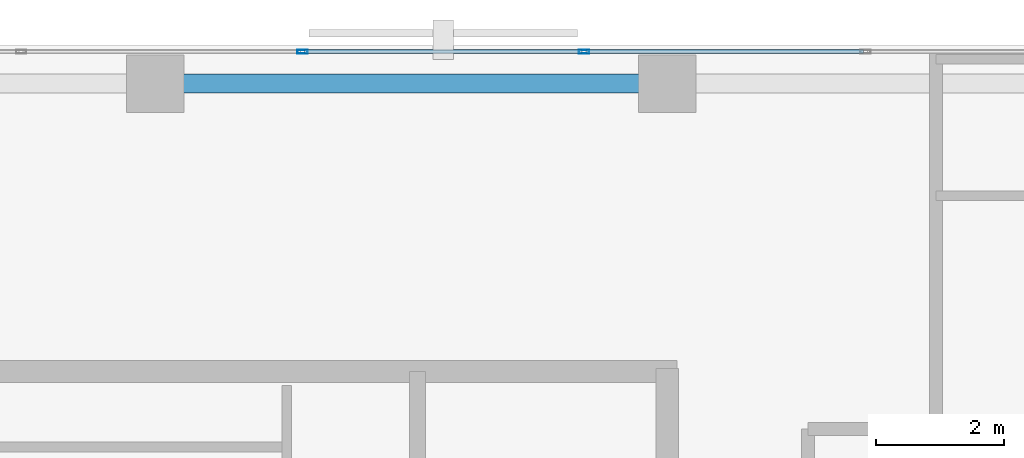
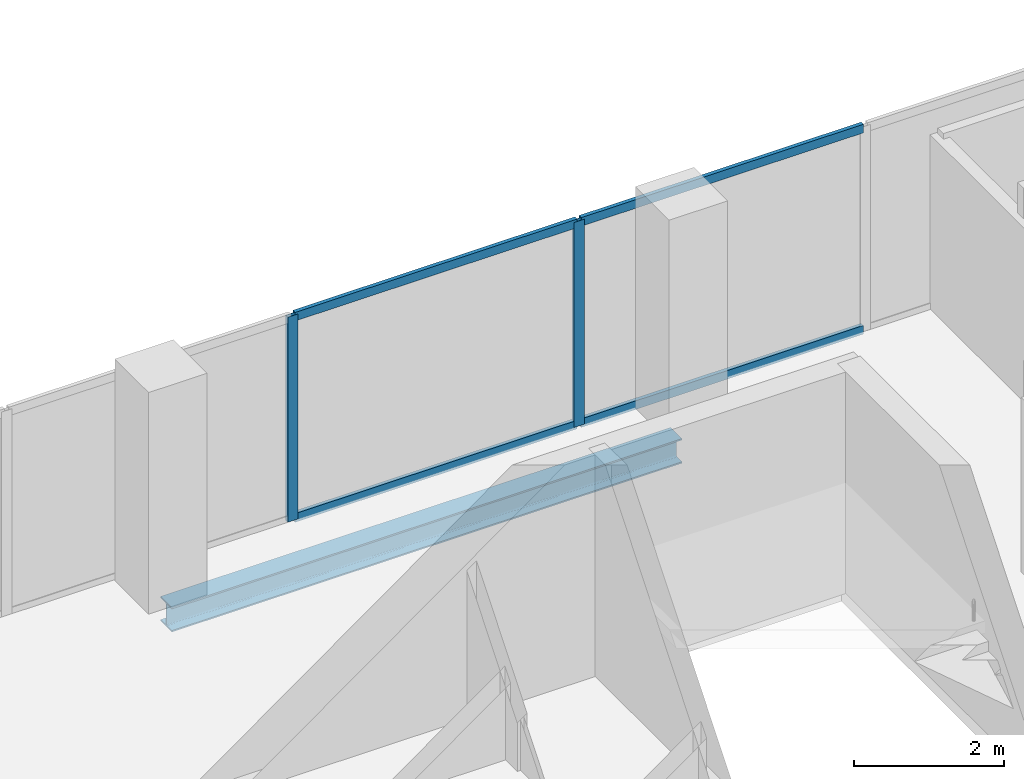
# One storey, part 24 of 34: 6 members, 1 beam, 1 element without a shape of its own.
"""IFC4 building model written with IfcOpenShell, lengths in metres."""

from ifc_helpers import new_model, si_unit, direction, frame, origin, origin_2d, place, context, subcontext, project, spatial, hollow_rectangle, i_section, extrude, material, layer, layer_set, material_profile, profile_set, type_object, element, aggregate, save


model = new_model("IFC4")

# Units and contexts
model_context = context("Model", 3, precision=1e-05, world=origin(), true_north=direction((0.0, 1.0)))
body_context = subcontext(model_context, "Body", "Model", "MODEL_VIEW")
ifc_project = project(units=[si_unit("LENGTHUNIT", "METRE"), si_unit("AREAUNIT", "SQUARE_METRE"), si_unit("VOLUMEUNIT", "CUBIC_METRE"), si_unit("PLANEANGLEUNIT", "RADIAN"), si_unit("MASSUNIT", "GRAM", prefix="KILO")], contexts=[model_context])

# Site, building, storey
site_placement = place(None, origin())
site = spatial("IfcSite", under=ifc_project, at=site_placement, CompositionType="ELEMENT")
building_placement = place(site_placement, origin())
building = spatial("IfcBuilding", under=site, at=building_placement, Name="Catumbela Crestline Tower", CompositionType="ELEMENT")
storey_placement = place(building_placement, frame((0.0, 0.0, 97.2)))
storey = spatial("IfcBuildingStorey", under=building, at=storey_placement, Name="L24", CompositionType="ELEMENT", Elevation=97.2)

# Curtain wall, members
ifc_material_1 = material(Name="Aluminium alloy AW-6060-T66", Category="aluminium")
ifc_layer = layer(ifc_material_1, 0.18, Name="Aluminium alloy AW-6060-T66")
ifc_layer_set = layer_set([ifc_layer], Name="Aluminium alloy AW-6060-T66")
curtain_wall_type = type_object("IfcCurtainWallType", Name="CWU-Z2", PredefinedType="USERDEFINED", material=ifc_layer_set)
curtain_wall_placement = place(storey_placement, origin())
curtain_wall = element("IfcCurtainWall", 1, at=curtain_wall_placement, inside=storey, type_object=curtain_wall_type, Name="L24 Unitised Curtain Wall CW-L24-E7S1", ObjectType="UNITISED", PredefinedType="USERDEFINED")
ifc_material_profile_1 = material_profile(ifc_material_1, hollow_rectangle(XDim=0.06, YDim=0.16, WallThickness=0.004, at=origin_2d()), Name="ALU 160x60x4")
ifc_profile_set_1 = profile_set([ifc_material_profile_1], Name="Aluminium alloy AW-6060-T66")
member_type_1 = type_object("IfcMemberType", Name="MUL-160X60", PredefinedType="MULLION", material=ifc_profile_set_1)
member_1_placement = place(storey_placement, frame((38.7, 47.9, 0.0), z_axis=(0.0, 0.0, 1.0), x_axis=(0.0, -1.0, 0.0)))
member_1 = element("IfcMember", 2, at=member_1_placement, type_object=member_type_1, Name="CWU-Z2 mullion 3", PredefinedType="MULLION", context=body_context, shape_type="SweptSolid", body=[
    extrude(hollow_rectangle(XDim=0.06, YDim=0.16, WallThickness=0.004, at=origin_2d()), origin(), (0.0, 0.0, 1.0), 3.33),
])
member_2_placement = place(storey_placement, frame((34.3, 47.9, 0.0), z_axis=(0.0, 0.0, 1.0), x_axis=(0.0, -1.0, 0.0)))
member_2 = element("IfcMember", 3, at=member_2_placement, type_object=member_type_1, Name="CWU-Z2 mullion 4", PredefinedType="MULLION", context=body_context, shape_type="SweptSolid", body=[
    extrude(hollow_rectangle(XDim=0.06, YDim=0.16, WallThickness=0.004, at=origin_2d()), origin(), (0.0, 0.0, 1.0), 3.33),
])

# Beam
ifc_material_2 = material(Name="Structural steel S355J2", Category="steel")
ifc_material_profile_2 = material_profile(ifc_material_2, i_section(OverallWidth=0.3, OverallDepth=0.4, WebThickness=0.0135, FlangeThickness=0.024, FilletRadius=0.027, at=origin_2d()), Name="HEB 400")
ifc_profile_set_2 = profile_set([ifc_material_profile_2], Name="Structural steel S355J2")
beam_type = type_object("IfcBeamType", Name="BS-HEB400", PredefinedType="SPANDREL", material=ifc_profile_set_2)
beam_placement = place(storey_placement, frame((32.08, 47.4, -0.46), z_axis=(1.0, 0.0, 0.0), x_axis=(0.0, 1.0, 0.0)))
element("IfcBeam", 4, at=beam_placement, inside=storey, type_object=beam_type, Name="L24 Spandrel SP-L24-NF20", PredefinedType="SPANDREL", context=body_context, shape_type="SweptSolid", body=[
    extrude(i_section(OverallWidth=0.3, OverallDepth=0.4, WebThickness=0.0135, FlangeThickness=0.024, FilletRadius=0.027, at=origin_2d()), origin(), (0.0, 0.0, 1.0), 7.84),
])

# Member
ifc_material_profile_3 = material_profile(ifc_material_1, hollow_rectangle(XDim=0.06, YDim=0.14, WallThickness=0.004, at=origin_2d()), Name="ALU 140x60x4")
ifc_profile_set_3 = profile_set([ifc_material_profile_3], Name="Aluminium alloy AW-6060-T66")
member_type_2 = type_object("IfcMemberType", Name="TRN-140X60", PredefinedType="USERDEFINED", material=ifc_profile_set_3)
member_3_placement = place(storey_placement, frame((43.0675, 47.9, 0.03), z_axis=(-1.0, 0.0, 0.0), x_axis=(0.0, -1.0, 0.0)))
member_3 = element("IfcMember", 5, at=member_3_placement, type_object=member_type_2, Name="CWU-Z2 transom 2.1", ObjectType="TRANSOM", PredefinedType="USERDEFINED", context=body_context, shape_type="SweptSolid", body=[
    extrude(hollow_rectangle(XDim=0.06, YDim=0.14, WallThickness=0.004, at=origin_2d()), origin(), (0.0, 0.0, 1.0), 4.335),
])

member_4_placement = place(storey_placement, frame((43.0675, 47.9, 3.3), z_axis=(-1.0, 0.0, 0.0), x_axis=(0.0, -1.0, 0.0)))
member_4 = element("IfcMember", 6, at=member_4_placement, type_object=member_type_2, Name="CWU-Z2 transom 2.2", ObjectType="TRANSOM", PredefinedType="USERDEFINED", context=body_context, shape_type="SweptSolid", body=[
    extrude(hollow_rectangle(XDim=0.06, YDim=0.14, WallThickness=0.004, at=origin_2d()), origin(), (0.0, 0.0, 1.0), 4.335),
])

member_5_placement = place(storey_placement, frame((38.6675, 47.9, 0.03), z_axis=(-1.0, 0.0, 0.0), x_axis=(0.0, -1.0, 0.0)))
member_5 = element("IfcMember", 7, at=member_5_placement, type_object=member_type_2, Name="CWU-Z2 transom 3.1", ObjectType="TRANSOM", PredefinedType="USERDEFINED", context=body_context, shape_type="SweptSolid", body=[
    extrude(hollow_rectangle(XDim=0.06, YDim=0.14, WallThickness=0.004, at=origin_2d()), origin(), (0.0, 0.0, 1.0), 4.335),
])

member_6_placement = place(storey_placement, frame((38.6675, 47.9, 3.3), z_axis=(-1.0, 0.0, 0.0), x_axis=(0.0, -1.0, 0.0)))
member_6 = element("IfcMember", 8, at=member_6_placement, type_object=member_type_2, Name="CWU-Z2 transom 3.2", ObjectType="TRANSOM", PredefinedType="USERDEFINED", context=body_context, shape_type="SweptSolid", body=[
    extrude(hollow_rectangle(XDim=0.06, YDim=0.14, WallThickness=0.004, at=origin_2d()), origin(), (0.0, 0.0, 1.0), 4.335),
])

aggregate(curtain_wall, [member_1, member_2, member_3, member_4, member_5, member_6])

save(model, "model.ifc")
